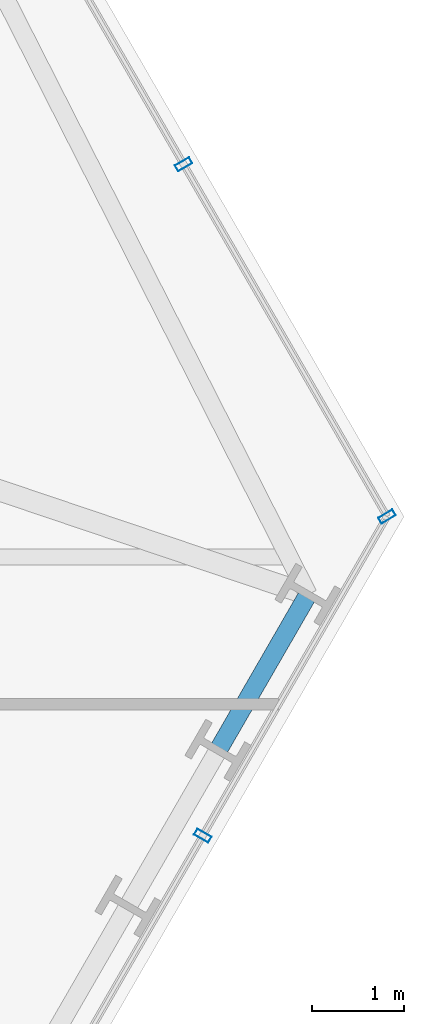
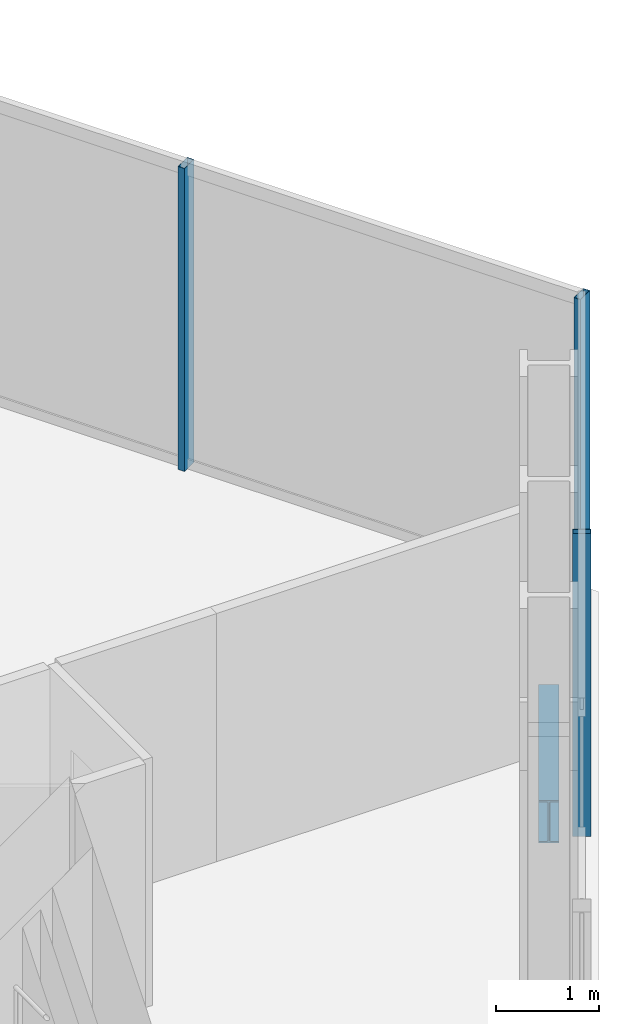
# One storey, part 16 of 32: 3 members, 1 beam, 2 elements without a shape of their own.
"""IFC4 building model written with IfcOpenShell, lengths in metres."""

from ifc_helpers import new_model, si_unit, direction, frame, origin, origin_2d, place, context, subcontext, project, spatial, hollow_rectangle, i_section, extrude, material, layer, layer_set, material_profile, profile_set, type_object, element, aggregate, save


model = new_model("IFC4")

# Units and contexts
model_context = context("Model", 3, precision=1e-05, world=origin(), true_north=direction((0.0, 1.0)))
body_context = subcontext(model_context, "Body", "Model", "MODEL_VIEW")
ifc_project = project(units=[si_unit("LENGTHUNIT", "METRE"), si_unit("AREAUNIT", "SQUARE_METRE"), si_unit("VOLUMEUNIT", "CUBIC_METRE"), si_unit("PLANEANGLEUNIT", "RADIAN"), si_unit("MASSUNIT", "GRAM", prefix="KILO")], contexts=[model_context])

# Site, building, storey
site_placement = place(None, origin())
site = spatial("IfcSite", under=ifc_project, at=site_placement, CompositionType="ELEMENT")
building_placement = place(site_placement, origin())
building = spatial("IfcBuilding", under=site, at=building_placement, Name="Ndaravel Arena Tower", CompositionType="ELEMENT")
storey_placement = place(building_placement, frame((0.0, 0.0, 51.199951171875)))
storey = spatial("IfcBuildingStorey", under=building, at=storey_placement, Name="L10", CompositionType="ELEMENT", Elevation=51.199951171875)

# Beam
ifc_material_1 = material(Name="Steel S355", Category="steel")
ifc_material_profile_1 = material_profile(ifc_material_1, i_section(OverallWidth=0.199951171875, OverallDepth=0.5, WebThickness=0.01025390625, FlangeThickness=0.01611328125, FilletRadius=0.02099609375, at=origin_2d()), Name="IPE 500")
ifc_profile_set_1 = profile_set([ifc_material_profile_1], Name="Steel S355")
beam_type = type_object("IfcBeamType", Name="BM-SPAN-IPE500", PredefinedType="SPANDREL", material=ifc_profile_set_1)
beam_placement = place(storey_placement, frame((63.656005859375, 16.4970703125, -0.469970703125), z_axis=(0.500003221507, 0.866023543838, 0.0), x_axis=(-0.866023543838, 0.500003221507, 0.0)))
element("IfcBeam", 1, at=beam_placement, inside=storey, type_object=beam_type, Name="L10 Perimeter Spandrel Beam SP-08", PredefinedType="SPANDREL", context=body_context, shape_type="SweptSolid", body=[
    extrude(i_section(OverallWidth=0.199951171875, OverallDepth=0.5, WebThickness=0.01025390625, FlangeThickness=0.01611328125, FilletRadius=0.02099609375, at=origin_2d()), origin(), (0.0, 0.0, 1.0), 1.95703125),
])

# Curtain wall, member
ifc_material_2 = material(Name="Aluminium", Category="aluminium")
ifc_layer_1 = layer(ifc_material_2, 0.179931640625)
ifc_layer_set_1 = layer_set([ifc_layer_1], Name="Aluminium")
curtain_wall_type_1 = type_object("IfcCurtainWallType", Name="CW-SYS-01", PredefinedType="NOTDEFINED", material=ifc_layer_set_1)
curtain_wall_1_placement = place(storey_placement, origin())
curtain_wall_1 = element("IfcCurtainWall", 2, at=curtain_wall_1_placement, inside=storey, type_object=curtain_wall_type_1, Name="L10 Faceted Crystal Curtain Wall CW-L10-E02", PredefinedType="NOTDEFINED")
ifc_material_3 = material(Name="Aluminium", Category="aluminium")
ifc_material_profile_2 = material_profile(ifc_material_3, hollow_rectangle(XDim=0.074951171875, YDim=0.179931640625, WallThickness=0.00390625, at=origin_2d()), Name="CW MULLION 75x180x4")
ifc_profile_set_2 = profile_set([ifc_material_profile_2], Name="Aluminium")
member_type = type_object("IfcMemberType", Name="MEM-CW-MUL180", PredefinedType="MULLION", material=ifc_profile_set_2)
member_1_placement = place(storey_placement, frame((63.489990234375, 15.569580078125, 0.0), z_axis=(0.0, 0.0, 1.0), x_axis=(0.5, 0.866025403784, 0.0)))
member_1 = element("IfcMember", 3, at=member_1_placement, type_object=member_type, Name="CW-L10-E02 Mullion 03", PredefinedType="MULLION", context=body_context, shape_type="SweptSolid", body=[
    extrude(hollow_rectangle(XDim=0.074951171875, YDim=0.179931640625, WallThickness=0.00390625, at=origin_2d()), origin(), (0.0, 0.0, 1.0), 3.580078125),
])
aggregate(curtain_wall_1, [member_1])

# Curtain wall, members
ifc_material_4 = material(Name="Aluminium", Category="aluminium")
ifc_layer_2 = layer(ifc_material_4, 0.179931640625)
ifc_layer_set_2 = layer_set([ifc_layer_2], Name="Aluminium")
curtain_wall_type_2 = type_object("IfcCurtainWallType", Name="CW-SYS-03", PredefinedType="NOTDEFINED", material=ifc_layer_set_2)
curtain_wall_2_placement = place(storey_placement, origin())
curtain_wall_2 = element("IfcCurtainWall", 4, at=curtain_wall_2_placement, inside=storey, type_object=curtain_wall_type_2, Name="L10 Faceted Crystal Curtain Wall CW-L10-E03", PredefinedType="NOTDEFINED")
member_2_placement = place(storey_placement, frame((65.4931640625, 19.03955078125, 0.0), z_axis=(0.0, 0.0, 1.0), x_axis=(-0.5, 0.866025403784, 0.0)))
member_2 = element("IfcMember", 5, at=member_2_placement, type_object=member_type, Name="CW-L10-E03 Mullion 00", PredefinedType="MULLION", context=body_context, shape_type="SweptSolid", body=[
    extrude(hollow_rectangle(XDim=0.074951171875, YDim=0.179931640625, WallThickness=0.00390625, at=origin_2d()), origin(), (0.0, 0.0, 1.0), 3.580078125),
])
member_3_placement = place(storey_placement, frame((63.28173828125, 22.869873046875, 0.0), z_axis=(0.0, 0.0, 1.0), x_axis=(-0.5, 0.866025403784, 0.0)))
member_3 = element("IfcMember", 6, at=member_3_placement, type_object=member_type, Name="CW-L10-E03 Mullion 01", PredefinedType="MULLION", context=body_context, shape_type="SweptSolid", body=[
    extrude(hollow_rectangle(XDim=0.074951171875, YDim=0.179931640625, WallThickness=0.00390625, at=origin_2d()), origin(), (0.0, 0.0, 1.0), 3.580078125),
])
aggregate(curtain_wall_2, [member_2, member_3])

save(model, "model.ifc")
